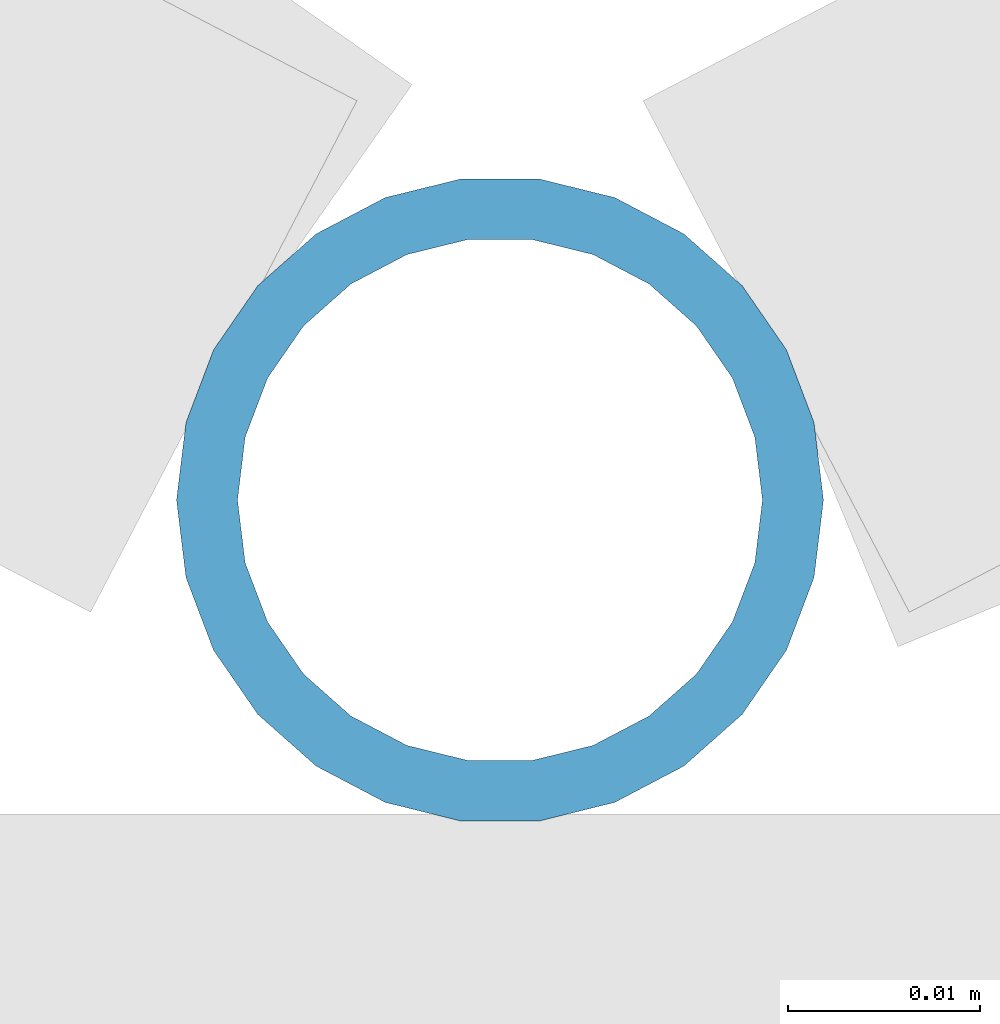
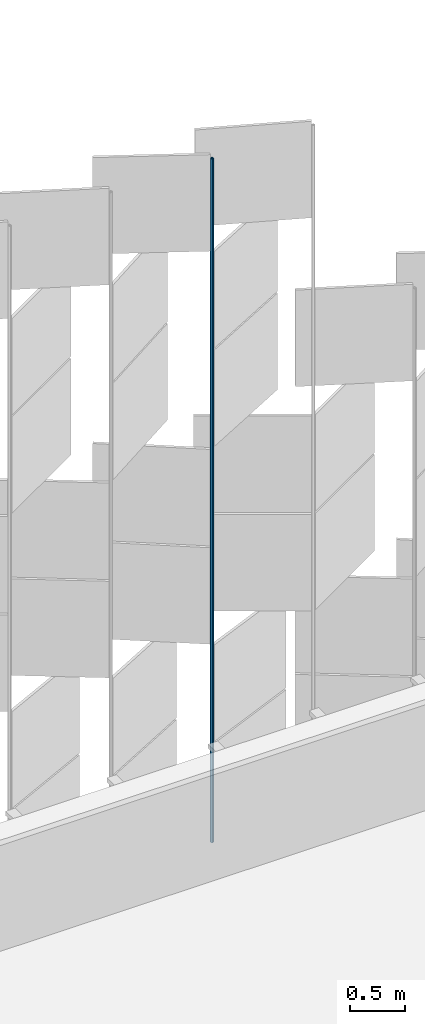
# One storey, part 360 of 483: 1 discrete accessory.
"""IFC4 building model written with IfcOpenShell, lengths in metres."""

from ifc_helpers import new_model, si_unit, direction, frame, origin, origin_2d, place, context, subcontext, project, spatial, hollow_circle, extrude, material, material_profile, profile_set, type_object, element, save


model = new_model("IFC4")

# Units and contexts
model_context = context("Model", 3, precision=1e-05, world=origin(), true_north=direction((0.0, 1.0)))
body_context = subcontext(model_context, "Body", "Model", "MODEL_VIEW")
ifc_project = project(units=[si_unit("LENGTHUNIT", "METRE"), si_unit("AREAUNIT", "SQUARE_METRE"), si_unit("VOLUMEUNIT", "CUBIC_METRE"), si_unit("PLANEANGLEUNIT", "RADIAN"), si_unit("MASSUNIT", "GRAM", prefix="KILO")], contexts=[model_context])

# Site, building, storey
site_placement = place(None, origin())
site = spatial("IfcSite", under=ifc_project, at=site_placement, CompositionType="ELEMENT")
building_placement = place(site_placement, origin())
building = spatial("IfcBuilding", under=site, at=building_placement, Name="Parallax Yard Mobility Hub", CompositionType="ELEMENT")
storey_placement = place(building_placement, frame((0.0, 0.0, 13.199951171875)))
storey = spatial("IfcBuildingStorey", under=building, at=storey_placement, Name="L04", CompositionType="ELEMENT", Elevation=13.199951171875)

# Discrete accessory
ifc_material = material(Name="Steel ASTM A500 Gr C, hot-dip galvanised", Category="steel")
ifc_material_profile = material_profile(ifc_material, hollow_circle(Radius=0.016845703125, WallThickness=0.003173828125, at=origin_2d()), Name="CHS 33.7x3.2")
ifc_profile_set = profile_set([ifc_material_profile], Name="Steel ASTM A500 Gr C, hot-dip galvanised")
discrete_accessory_type = type_object("IfcDiscreteAccessoryType", Name="Hinge post CHS 33.7x3.2", PredefinedType="BRACKET", material=ifc_profile_set)
discrete_accessory_placement = place(storey_placement, frame((130.711181640625, 142.800048828125, 0.0), z_axis=(0.0, 0.0, 1.0), x_axis=(1.0, 0.0, 0.0)))
element("IfcDiscreteAccessory", 1, at=discrete_accessory_placement, inside=storey, type_object=discrete_accessory_type, Name="Hinge post bay 56.5 level L04", PredefinedType="BRACKET", context=body_context, shape_type="SweptSolid", body=[
    extrude(hollow_circle(Radius=0.016845703125, WallThickness=0.003173828125, at=origin_2d()), origin(), (0.0, 0.0, 1.0), 7.650146484375),
])

save(model, "model.ifc")
